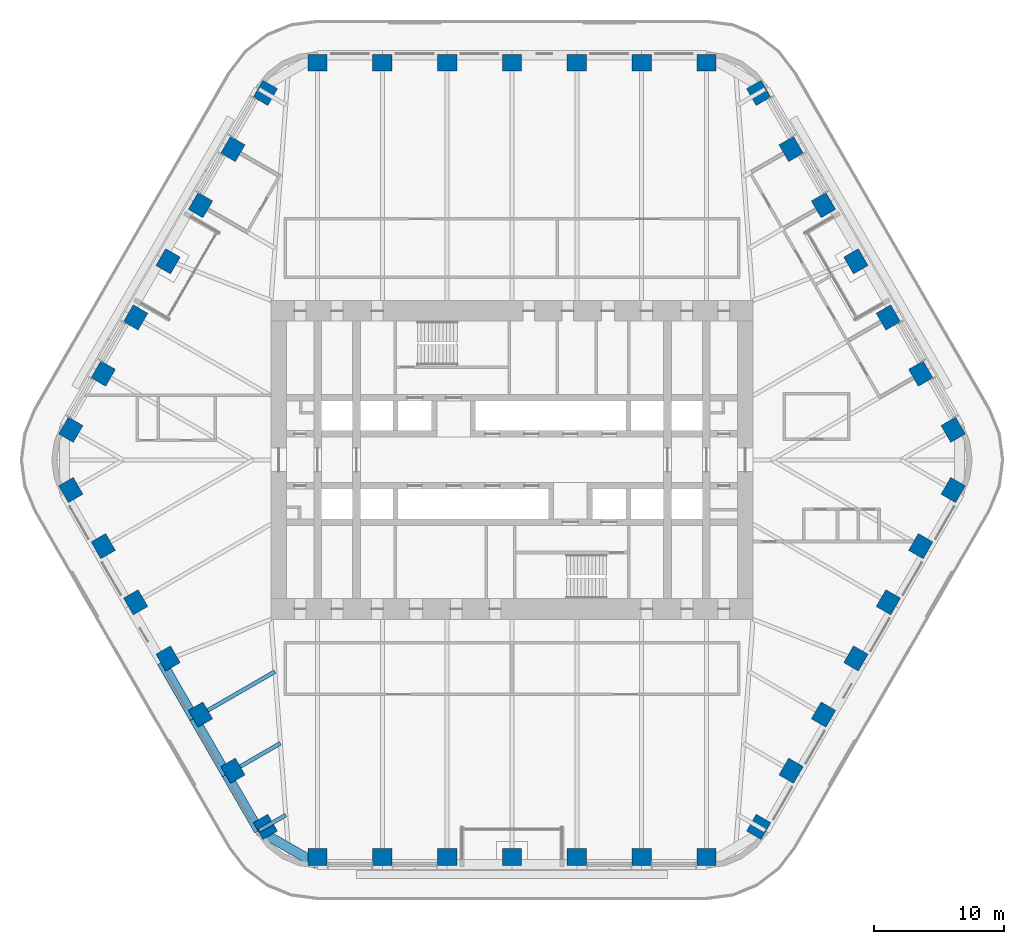
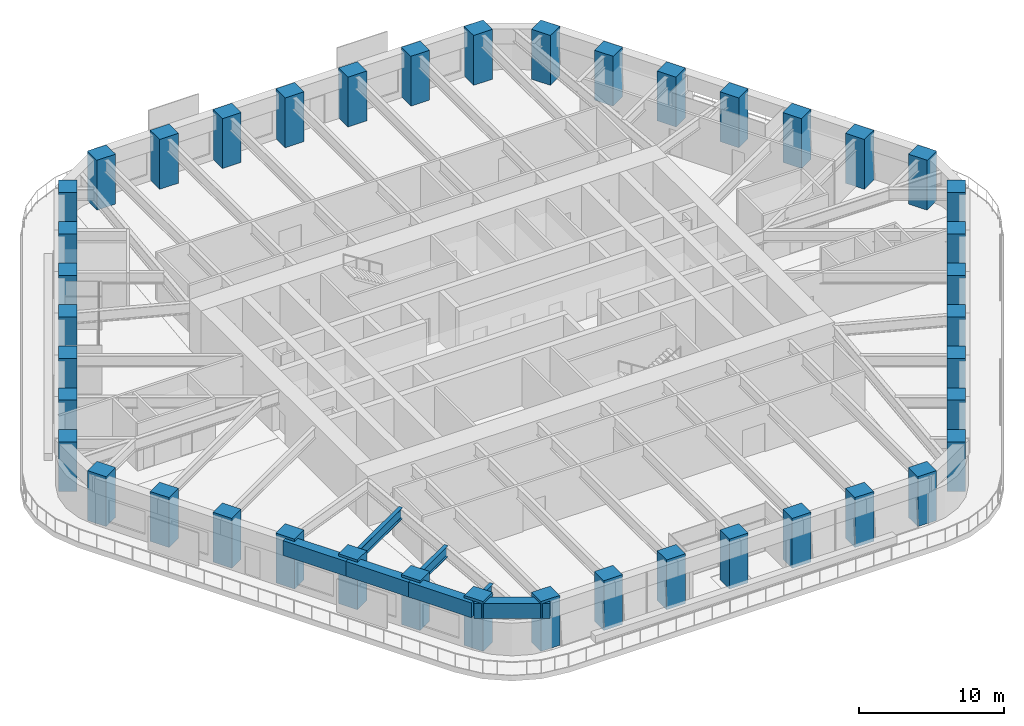
# One storey, part 1 of 24: 42 columns, 7 beams.
"""IFC4 building model written with IfcOpenShell, lengths in metres."""

from ifc_helpers import new_model, si_unit, direction, frame, origin, origin_2d, place, context, subcontext, project, spatial, rectangle, i_section, extrude, material, material_profile, profile_set, type_object, element, save


model = new_model("IFC4")

# Units and contexts
model_context = context("Model", 3, precision=1e-05, world=origin(), true_north=direction((0.0, 1.0)))
body_context = subcontext(model_context, "Body", "Model", "MODEL_VIEW")
ifc_project = project(units=[si_unit("LENGTHUNIT", "METRE"), si_unit("AREAUNIT", "SQUARE_METRE"), si_unit("VOLUMEUNIT", "CUBIC_METRE"), si_unit("PLANEANGLEUNIT", "RADIAN"), si_unit("MASSUNIT", "GRAM", prefix="KILO")], contexts=[model_context])

# Site, building, storey
site_placement = place(None, origin())
site = spatial("IfcSite", under=ifc_project, at=site_placement, CompositionType="ELEMENT")
building_placement = place(site_placement, origin())
building = spatial("IfcBuilding", under=site, at=building_placement, Name="Tarfa Lantern Tower", CompositionType="ELEMENT")
storey_placement = place(building_placement, frame((0.0, 0.0, 195.10009765625)))
storey = spatial("IfcBuildingStorey", under=building, at=storey_placement, Name="L44", CompositionType="ELEMENT", Elevation=195.10009765625)

# Columns
ifc_material_1 = material(Name="Concrete C80/95", Category="concrete")
ifc_material_profile_1 = material_profile(ifc_material_1, rectangle(XDim=1.5, YDim=1.300048828125, at=origin_2d()), Name="RC 1500x1300")
ifc_profile_set_1 = profile_set([ifc_material_profile_1], Name="Concrete C80/95")
column_type = type_object("IfcColumnType", Name="TC8 RC 1500x1300", PredefinedType="COLUMN", material=ifc_profile_set_1)
for number, where, z_axis, x_axis, name in (
    (1, (34.04931640625, 2.324951171875, 0.0), (0.0, 0.0, 1.0), (-0.5, 0.866025403784, 0.0), "Tube column NE0"),
    (2, (31.54736328125, 6.658447265625, 0.0), (0.0, 0.0, 1.0), (-0.5, 0.866025403784, 0.0), "Tube column NE1"),
    (3, (29.04541015625, 10.99169921875, 0.0), (0.0, 0.0, 1.0), (-0.5, 0.866025403784, 0.0), "Tube column NE2"),
    (4, (26.543701171875, 15.324951171875, 0.0), (0.0, 0.0, 1.0), (-0.5, 0.866025403784, 0.0), "Tube column NE3"),
    (5, (24.041748046875, 19.658447265625, 0.0), (0.0, 0.0, 1.0), (-0.5, 0.866025403784, 0.0), "Tube column NE4"),
    (6, (21.5400390625, 23.99169921875, 0.0), (0.0, 0.0, 1.0), (-0.5, 0.866025403784, 0.0), "Tube column NE5"),
    (7, (19.0380859375, 28.324951171875, 0.0), (0.0, 0.0, 1.0), (-0.5, 0.866025403784, 0.0), "Tube column NE6"),
    (8, (15.010986328125, 30.64990234375, 0.0), (0.0, 0.0, 1.0), (-1.0, 0.0, 0.0), "Tube column N0"),
    (9, (10.00732421875, 30.64990234375, 0.0), (0.0, 0.0, 1.0), (-1.0, 0.0, 0.0), "Tube column N1"),
    (10, (5.003662109375, 30.64990234375, 0.0), (0.0, 0.0, 1.0), (-1.0, 0.0, 0.0), "Tube column N2"),
    (11, (0.0, 30.64990234375, 0.0), (0.0, 0.0, 1.0), (-1.0, 0.0, 0.0), "Tube column N3"),
    (12, (-5.003662109375, 30.64990234375, 0.0), (0.0, 0.0, 1.0), (-1.0, 0.0, 0.0), "Tube column N4"),
    (13, (-10.00732421875, 30.64990234375, 0.0), (0.0, 0.0, 1.0), (-1.0, 0.0, 0.0), "Tube column N5"),
    (14, (-15.010986328125, 30.64990234375, 0.0), (0.0, 0.0, 1.0), (-1.0, 0.0, 0.0), "Tube column N6"),
    (15, (-19.0380859375, 28.324951171875, 0.0), (0.0, 0.0, 1.0), (-0.5, -0.866025403784, 0.0), "Tube column NW0"),
    (16, (-21.5400390625, 23.99169921875, 0.0), (0.0, 0.0, 1.0), (-0.5, -0.866025403784, 0.0), "Tube column NW1"),
    (17, (-24.041748046875, 19.658447265625, 0.0), (0.0, 0.0, 1.0), (-0.5, -0.866025403784, 0.0), "Tube column NW2"),
    (18, (-26.543701171875, 15.324951171875, 0.0), (0.0, 0.0, 1.0), (-0.5, -0.866025403784, 0.0), "Tube column NW3"),
    (19, (-29.04541015625, 10.99169921875, 0.0), (0.0, 0.0, 1.0), (-0.5, -0.866025403784, 0.0), "Tube column NW4"),
    (20, (-31.54736328125, 6.658447265625, 0.0), (0.0, 0.0, 1.0), (-0.5, -0.866025403784, 0.0), "Tube column NW5"),
    (21, (-34.04931640625, 2.324951171875, 0.0), (0.0, 0.0, 1.0), (-0.5, -0.866025403784, 0.0), "Tube column NW6"),
    (22, (-34.04931640625, -2.324951171875, 0.0), (0.0, 0.0, 1.0), (0.5, -0.866025403784, 0.0), "Tube column SW0"),
    (23, (-31.54736328125, -6.658447265625, 0.0), (0.0, 0.0, 1.0), (0.5, -0.866025403784, 0.0), "Tube column SW1"),
    (24, (-29.04541015625, -10.99169921875, 0.0), (0.0, 0.0, 1.0), (0.5, -0.866025403784, 0.0), "Tube column SW2"),
    (25, (-26.543701171875, -15.324951171875, 0.0), (0.0, 0.0, 1.0), (0.5, -0.866025403784, 0.0), "Tube column SW3"),
    (26, (-24.041748046875, -19.658447265625, 0.0), (0.0, 0.0, 1.0), (0.5, -0.866025403784, 0.0), "Tube column SW4"),
    (27, (-21.5400390625, -23.99169921875, 0.0), (0.0, 0.0, 1.0), (0.5, -0.866025403784, 0.0), "Tube column SW5"),
    (28, (-19.0380859375, -28.324951171875, 0.0), (0.0, 0.0, 1.0), (0.5, -0.866025403784, 0.0), "Tube column SW6"),
    (29, (-15.010986328125, -30.64990234375, 0.0), (0.0, 0.0, 1.0), (1.0, 0.0, 0.0), "Tube column S0"),
    (30, (-10.00732421875, -30.64990234375, 0.0), (0.0, 0.0, 1.0), (1.0, 0.0, 0.0), "Tube column S1"),
    (31, (-5.003662109375, -30.64990234375, 0.0), (0.0, 0.0, 1.0), (1.0, 0.0, 0.0), "Tube column S2"),
    (32, (0.0, -30.64990234375, 0.0), (0.0, 0.0, 1.0), (1.0, 0.0, 0.0), "Tube column S3"),
    (33, (5.003662109375, -30.64990234375, 0.0), (0.0, 0.0, 1.0), (1.0, 0.0, 0.0), "Tube column S4"),
    (34, (10.00732421875, -30.64990234375, 0.0), (0.0, 0.0, 1.0), (1.0, 0.0, 0.0), "Tube column S5"),
    (35, (15.010986328125, -30.64990234375, 0.0), (0.0, 0.0, 1.0), (1.0, 0.0, 0.0), "Tube column S6"),
    (36, (19.0380859375, -28.324951171875, 0.0), (0.0, 0.0, 1.0), (0.5, 0.866025403784, 0.0), "Tube column SE0"),
    (37, (21.5400390625, -23.99169921875, 0.0), (0.0, 0.0, 1.0), (0.5, 0.866025403784, 0.0), "Tube column SE1"),
    (38, (24.041748046875, -19.658447265625, 0.0), (0.0, 0.0, 1.0), (0.5, 0.866025403784, 0.0), "Tube column SE2"),
    (39, (26.543701171875, -15.324951171875, 0.0), (0.0, 0.0, 1.0), (0.5, 0.866025403784, 0.0), "Tube column SE3"),
    (40, (29.04541015625, -10.99169921875, 0.0), (0.0, 0.0, 1.0), (0.5, 0.866025403784, 0.0), "Tube column SE4"),
    (41, (31.54736328125, -6.658447265625, 0.0), (0.0, 0.0, 1.0), (0.5, 0.866025403784, 0.0), "Tube column SE5"),
    (42, (34.04931640625, -2.324951171875, 0.0), (0.0, 0.0, 1.0), (0.5, 0.866025403784, 0.0), "Tube column SE6"),
):
    element("IfcColumn", number, at=place(storey_placement, frame(where, z_axis=z_axis, x_axis=x_axis)), inside=storey, type_object=column_type, Name=name, PredefinedType="COLUMN", context=body_context, shape_type="SweptSolid", body=[
        extrude(rectangle(XDim=1.5, YDim=1.300048828125, at=origin_2d()), origin(), (0.0, 0.0, 1.0), 4.199951171875),
    ])

# Beams
ifc_material_profile_2 = material_profile(ifc_material_1, rectangle(XDim=0.75, YDim=1.25, at=origin_2d()), Name="RC 750x1250")
ifc_profile_set_2 = profile_set([ifc_material_profile_2], Name="Concrete C80/95")
beam_type_1 = type_object("IfcBeamType", Name="EB2 RC 750x1250", PredefinedType="SPANDREL", material=ifc_profile_set_2)
for number, where, z_axis, x_axis, name in (
    (43, (-27.037353515625, -15.610107421875, 3.375), (0.500022324899, -0.866012514114, 0.0), (0.866012514114, 0.500022324899, 0.0), "Edge beam SW3"),
    (44, (-24.535400390625, -19.943359375, 3.375), (0.49998573051, -0.866033642122, 0.0), (0.866033642122, 0.49998573051, 0.0), "Edge beam SW4"),
):
    element("IfcBeam", number, at=place(storey_placement, frame(where, z_axis=z_axis, x_axis=x_axis)), inside=storey, type_object=beam_type_1, Name=name, PredefinedType="SPANDREL", context=body_context, shape_type="SweptSolid", body=[
        extrude(rectangle(XDim=0.75, YDim=1.25, at=origin_2d()), origin(), (0.0, 0.0, 1.0), 5.003662109375),
    ])
beam_1_placement = place(storey_placement, frame((-22.03369140625, -24.276611328125, 3.375), z_axis=(0.500001197378, -0.866024712477, 0.0), x_axis=(0.866024712477, 0.500001197378, 0.0)))
element("IfcBeam", 45, at=beam_1_placement, inside=storey, type_object=beam_type_1, Name="Edge beam SW5", PredefinedType="SPANDREL", context=body_context, shape_type="SweptSolid", body=[
    extrude(rectangle(XDim=0.75, YDim=1.25, at=origin_2d()), origin(), (0.0, 0.0, 1.0), 5.00390625),
])
beam_2_placement = place(storey_placement, frame((-19.53173828125, -28.610107421875, 3.375), z_axis=(0.86604150238, -0.499972115377, 0.0), x_axis=(0.499972115377, 0.86604150238, 0.0)))
element("IfcBeam", 46, at=beam_2_placement, inside=storey, type_object=beam_type_1, Name="Edge beam SW6", PredefinedType="SPANDREL", context=body_context, shape_type="SweptSolid", body=[
    extrude(rectangle(XDim=0.75, YDim=1.25, at=origin_2d()), origin(), (0.0, 0.0, 1.0), 5.219970703125),
])
ifc_material_2 = material(Name="Steel S460M", Category="steel")
ifc_material_profile_3 = material_profile(ifc_material_2, i_section(OverallWidth=0.305419921875, OverallDepth=0.91845703125, WebThickness=0.017333984375, FlangeThickness=0.02783203125, FilletRadius=0.01904296875, at=origin_2d()), Name="UB914x305x253")
ifc_profile_set_3 = profile_set([ifc_material_profile_3], Name="Steel S460M")
beam_type_2 = type_object("IfcBeamType", Name="UB914x305x253", PredefinedType="BEAM", material=ifc_profile_set_3)
beam_3_placement = place(storey_placement, frame((-24.535400390625, -19.943359375, 3.540771484375), z_axis=(0.86602647304, 0.499998147991, 0.0), x_axis=(-0.499998147991, 0.86602647304, 0.0)))
element("IfcBeam", 47, at=beam_3_placement, inside=storey, type_object=beam_type_2, Name="Floor beam SW4", PredefinedType="BEAM", context=body_context, shape_type="SweptSolid", body=[
    extrude(i_section(OverallWidth=0.305419921875, OverallDepth=0.91845703125, WebThickness=0.017333984375, FlangeThickness=0.02783203125, FilletRadius=0.01904296875, at=origin_2d()), origin(), (0.0, 0.0, 1.0), 7.20556640625),
])
beam_4_placement = place(storey_placement, frame((-22.03369140625, -24.276611328125, 3.540771484375), z_axis=(0.866030550462, 0.499991085587, 0.0), x_axis=(-0.499991085587, 0.866030550462, 0.0)))
element("IfcBeam", 48, at=beam_4_placement, inside=storey, type_object=beam_type_2, Name="Floor beam SW5", PredefinedType="BEAM", context=body_context, shape_type="SweptSolid", body=[
    extrude(i_section(OverallWidth=0.305419921875, OverallDepth=0.91845703125, WebThickness=0.017333984375, FlangeThickness=0.02783203125, FilletRadius=0.01904296875, at=origin_2d()), origin(), (0.0, 0.0, 1.0), 4.798828125),
])
beam_5_placement = place(storey_placement, frame((-19.53173828125, -28.610107421875, 3.540771484375), z_axis=(0.865998640954, 0.500046351717, 0.0), x_axis=(-0.500046351717, 0.865998640954, 0.0)))
element("IfcBeam", 49, at=beam_5_placement, inside=storey, type_object=beam_type_2, Name="Floor beam SW6", PredefinedType="BEAM", context=body_context, shape_type="SweptSolid", body=[
    extrude(i_section(OverallWidth=0.305419921875, OverallDepth=0.91845703125, WebThickness=0.017333984375, FlangeThickness=0.02783203125, FilletRadius=0.01904296875, at=origin_2d()), origin(), (0.0, 0.0, 1.0), 2.392333984375),
])

save(model, "model.ifc")
